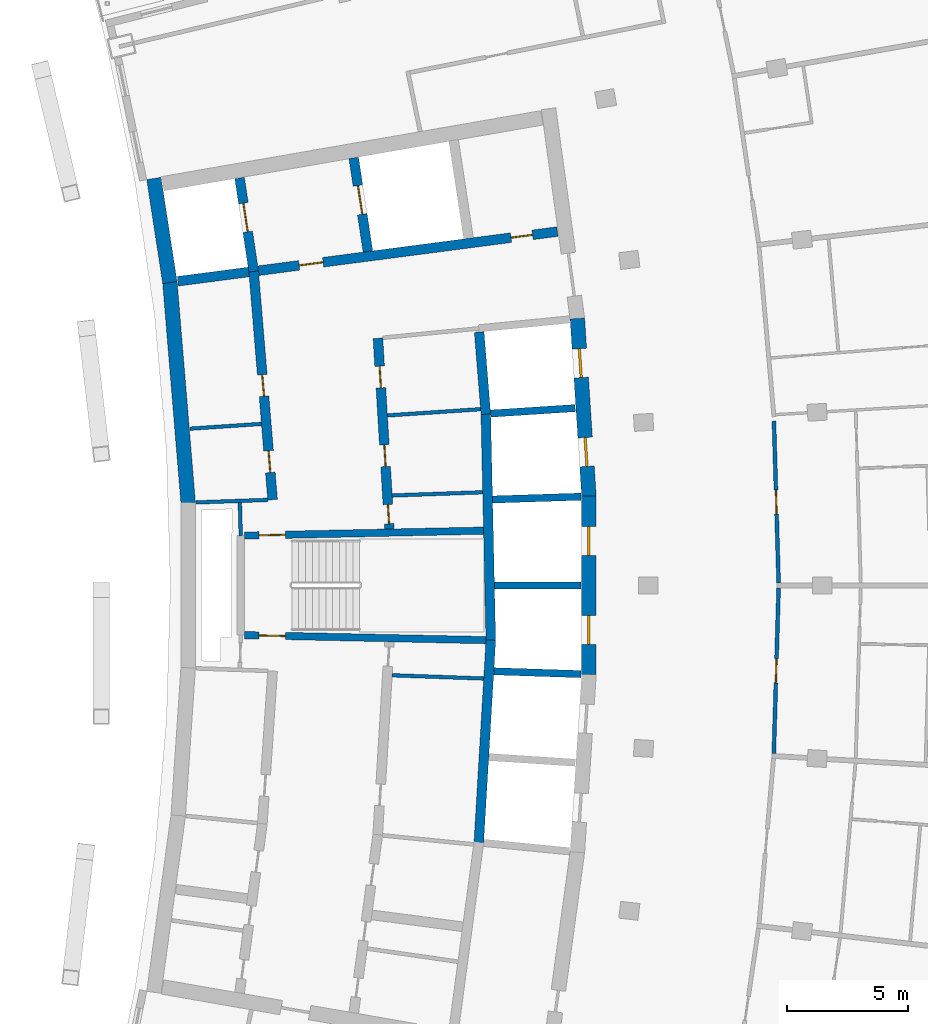
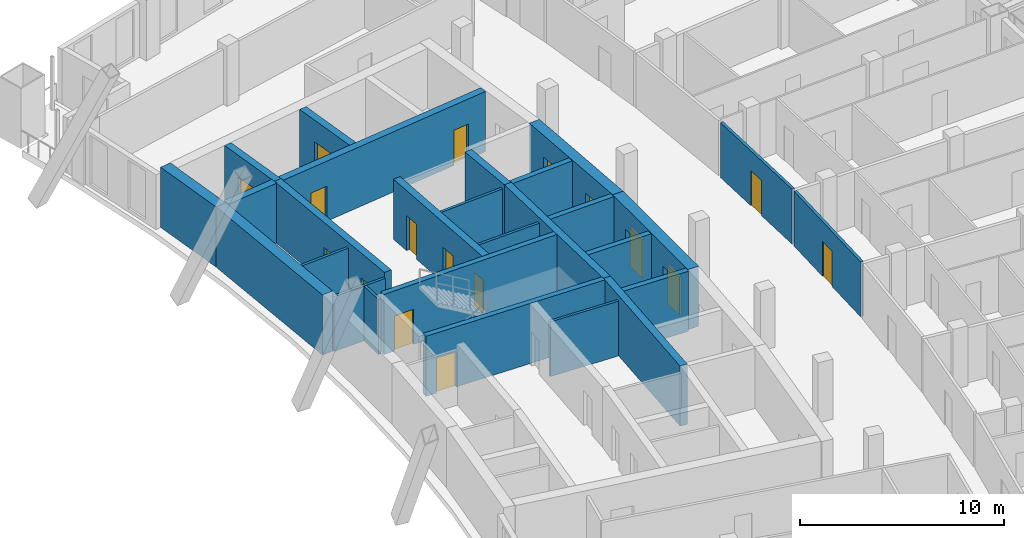
# One storey, part 12 of 19: 27 walls, 17 doors, 17 openings.
"""IFC4 building model written with IfcOpenShell, lengths in metres."""

from ifc_helpers import new_model, si_unit, direction, frame, frame_2d, origin, place, context, subcontext, project, spatial, rectangle, extrude, material, layer, layer_set, type_object, element, fill, save


model = new_model("IFC4")

# Units and contexts
model_context = context("Model", 3, precision=1e-05, world=origin(), true_north=direction((0.0, 1.0)))
body_context = subcontext(model_context, "Body", "Model", "MODEL_VIEW")
ifc_project = project(units=[si_unit("LENGTHUNIT", "METRE"), si_unit("AREAUNIT", "SQUARE_METRE"), si_unit("VOLUMEUNIT", "CUBIC_METRE"), si_unit("PLANEANGLEUNIT", "RADIAN"), si_unit("MASSUNIT", "GRAM", prefix="KILO")], contexts=[model_context])

# Site, building, storey
site_placement = place(None, origin())
site = spatial("IfcSite", under=ifc_project, at=site_placement, CompositionType="ELEMENT")
building_placement = place(site_placement, origin())
building = spatial("IfcBuilding", under=site, at=building_placement, Name="Alderwake Tower", CompositionType="ELEMENT")
storey_placement = place(building_placement, frame((0.0, 0.0, 221.60009765625)))
storey = spatial("IfcBuildingStorey", under=building, at=storey_placement, Name="L55", CompositionType="ELEMENT", Elevation=221.60009765625)

# Walls
ifc_material_1 = material(Name="Gypsum shaft wall system, rated")
ifc_layer_1 = layer(ifc_material_1, 0.14990234375)
ifc_layer_set_1 = layer_set([ifc_layer_1], Name="Core riser partition 150")
wall_type_1 = type_object("IfcWallType", Name="Core riser partition 150", PredefinedType="PARTITIONING", material=ifc_layer_set_1)
wall_1_placement = place(storey_placement, frame((25.1904296875, 57.276611328125, 0.0), z_axis=(0.0, 0.0, 1.0), x_axis=(0.999373547283, -0.03539086028, 0.0)))
element("IfcWall", 1, at=wall_1_placement, inside=storey, type_object=wall_type_1, Name="CW/L55/PR-37_+86", PredefinedType="PARTITIONING", context=body_context, shape_type="SweptSolid", body=[
    extrude(rectangle(XDim=3.794189453125, YDim=0.14990234375, at=frame_2d((1.89697265625, 0.0))), origin(), (0.0, 0.0, 1.0), 3.27978515625),
])
wall_2_placement = place(storey_placement, frame((25.191162109375, 64.723388671875, 0.0), z_axis=(0.0, 0.0, 1.0), x_axis=(0.999373256208, 0.035399078746, 0.0)))
element("IfcWall", 2, at=wall_2_placement, inside=storey, type_object=wall_type_1, Name="CW/L55/PR+37_+86", PredefinedType="PARTITIONING", context=body_context, shape_type="SweptSolid", body=[
    extrude(rectangle(XDim=3.751953125, YDim=0.14990234375, at=frame_2d((1.8759765625, 0.0))), origin(), (0.0, 0.0, 1.0), 3.27978515625),
])
ifc_material_2 = material(Name="Gypsum shaft wall system, rated")
ifc_layer_2 = layer(ifc_material_2, 0.14990234375)
ifc_layer_set_2 = layer_set([ifc_layer_2], Name="Core room partition 150")
wall_type_2 = type_object("IfcWallType", Name="Core room partition 150", PredefinedType="PARTITIONING", material=ifc_layer_set_2)
wall_3_placement = place(storey_placement, frame((18.918701171875, 63.05517578125, 0.0), z_axis=(0.0, 0.0, 1.0), x_axis=(-0.027791791559, 0.99961373356, 0.0)))
element("IfcWall", 3, at=wall_3_placement, inside=storey, type_object=wall_type_2, Name="CW/L55/PA+24_+22", PredefinedType="PARTITIONING", context=body_context, shape_type="SweptSolid", body=[
    extrude(rectangle(XDim=1.370361328125, YDim=0.14990234375, at=frame_2d((0.68505859375, 0.0))), origin(), (0.0, 0.0, 1.0), 3.27978515625),
])
wall_4_placement = place(storey_placement, frame((17.0693359375, 64.43603515625, 0.0), z_axis=(0.0, 0.0, 1.0), x_axis=(0.999374945052, 0.03535136775, 0.0)))
element("IfcWall", 4, at=wall_4_placement, inside=storey, type_object=wall_type_2, Name="CW/L55/PR+37_+0", PredefinedType="PARTITIONING", context=body_context, shape_type="SweptSolid", body=[
    extrude(rectangle(XDim=2.9697265625, YDim=0.14990234375, at=frame_2d((1.48486328125, 0.0))), origin(), (0.0, 0.0, 1.0), 3.27978515625),
])
wall_5_placement = place(storey_placement, frame((16.81640625, 67.490478515625, 0.0), z_axis=(0.0, 0.0, 1.0), x_axis=(0.997758859926, 0.066912311566, 0.0)))
element("IfcWall", 5, at=wall_5_placement, inside=storey, type_object=wall_type_2, Name="CW/L55/PR+70_+0", PredefinedType="PARTITIONING", context=body_context, shape_type="SweptSolid", body=[
    extrude(rectangle(XDim=2.96630859375, YDim=0.14990234375, at=frame_2d((1.483154296875, 0.0))), origin(), (0.0, 0.0, 1.0), 3.27978515625),
])
wall_6_placement = place(storey_placement, frame((24.992431640625, 68.038818359375, 0.0), z_axis=(0.0, 0.0, 1.0), x_axis=(0.997760236964, 0.066891774789, 0.0)))
element("IfcWall", 6, at=wall_6_placement, inside=storey, type_object=wall_type_2, Name="CW/L55/PR+70_+86", PredefinedType="PARTITIONING", context=body_context, shape_type="SweptSolid", body=[
    extrude(rectangle(XDim=3.86865234375, YDim=0.14990234375, at=frame_2d((1.934326171875, 0.0))), origin(), (0.0, 0.0, 1.0), 3.27978515625),
])
ifc_material_3 = material(Name="Concrete C70/85", Category="concrete")
ifc_layer_3 = layer(ifc_material_3, 0.60009765625)
ifc_layer_set_3 = layer_set([ifc_layer_3], Name="Core wall outer 600 C70-85")
wall_type_3 = type_object("IfcWallType", Name="Core wall outer 600 C70-85", PredefinedType="SHEAR", material=ifc_layer_set_3)
wall_7_placement = place(storey_placement, frame((16.740478515625, 64.411376953125, 0.0), z_axis=(0.0, 0.0, 1.0), x_axis=(-0.082614307012, 0.996581595393, 0.0)))
element("IfcWall", 7, at=wall_7_placement, inside=storey, type_object=wall_type_3, Name="Core wall CW.035", PredefinedType="SHEAR", context=body_context, shape_type="SweptSolid", body=[
    extrude(rectangle(XDim=9.184814453125, YDim=0.60009765625, at=frame_2d((4.59228515625, 0.0))), origin(), (0.0, 0.0, 1.0), 3.599853515625),
])
wall_8_placement = place(storey_placement, frame((15.984130859375, 73.54296875, 0.0), z_axis=(0.0, 0.0, 1.0), x_axis=(-0.151922578304, 0.988392396876, 0.0)))
element("IfcWall", 8, at=wall_8_placement, inside=storey, type_object=wall_type_3, Name="Core wall CW.034", PredefinedType="SHEAR", context=body_context, shape_type="SweptSolid", body=[
    extrude(rectangle(XDim=4.361328125, YDim=0.60009765625, at=frame_2d((2.1806640625, 0.0))), origin(), (0.0, 0.0, 1.0), 3.599853515625),
])

# Wall, openings, doors
wall_9_placement = place(storey_placement, frame((33.340087890625, 57.30322265625, 0.0), z_axis=(0.0, 0.0, 1.0), x_axis=(0.0, 1.0, 0.0)))
wall_9 = element("IfcWall", 9, at=wall_9_placement, inside=storey, type_object=wall_type_3, Name="Core wall CW.018", PredefinedType="SHEAR", context=body_context, shape_type="SweptSolid", body=[
    extrude(rectangle(XDim=7.3935546875, YDim=0.60009765625, at=frame_2d((3.69677734375, 0.0))), origin(), (0.0, 0.0, 1.0), 3.599853515625),
])
opening_1_placement = place(wall_9_placement, frame((1.25341796875, 0.0, 0.0)))
opening_1 = element("IfcOpeningElement", 10, at=opening_1_placement, cuts=wall_9, Name="Opening LD-HP3", PredefinedType="OPENING", context=body_context, shape_type="SweptSolid", body=[
    extrude(rectangle(XDim=1.199951171875, YDim=2.300048828125, at=frame_2d((0.60009765625, 1.14990234375))), frame((0.0, 0.31005859375, 0.0), z_axis=(0.0, -1.0, 0.0), x_axis=(1.0, 0.0, 0.0)), (0.0, 0.0, 1.0), 0.6201171875),
])
opening_2_placement = place(wall_9_placement, frame((4.940185546875, 0.0, 0.0)))
opening_2 = element("IfcOpeningElement", 11, at=opening_2_placement, cuts=wall_9, Name="Opening LD-HP4", PredefinedType="OPENING", context=body_context, shape_type="SweptSolid", body=[
    extrude(rectangle(XDim=1.199951171875, YDim=2.300048828125, at=frame_2d((0.60009765625, 1.14990234375))), frame((0.0, 0.31005859375, 0.0), z_axis=(0.0, -1.0, 0.0), x_axis=(1.0, 0.0, 0.0)), (0.0, 0.0, 1.0), 0.6201171875),
])
ifc_material_4 = material(Name="Stainless steel sliding leaf", Category="steel")
door_type_1 = type_object("IfcDoorType", Name="Lift landing door 1200", OperationType="SLIDING_TO_LEFT", PredefinedType="DOOR", material=ifc_material_4)
door_1_placement = place(opening_1_placement, origin())
door_1 = element("IfcDoor", 12, at=door_1_placement, inside=storey, type_object=door_type_1, Name="Lift landing door HP3", OperationType="SLIDING_TO_LEFT", OverallHeight=2.300048828125, OverallWidth=1.199951171875, PredefinedType="DOOR", context=body_context, shape_type="SweptSolid", body=[
    extrude(rectangle(XDim=1.199951171875, YDim=2.300048828125, at=frame_2d((0.60009765625, 1.14990234375))), frame((0.0, 0.050048828125, 0.0), z_axis=(0.0, -1.0, 0.0), x_axis=(1.0, 0.0, 0.0)), (0.0, 0.0, 1.0), 0.10009765625),
])
fill(opening_1, door_1)
door_2_placement = place(opening_2_placement, origin())
door_2 = element("IfcDoor", 13, at=door_2_placement, inside=storey, type_object=door_type_1, Name="Lift landing door HP4", OperationType="SLIDING_TO_LEFT", OverallHeight=2.300048828125, OverallWidth=1.199951171875, PredefinedType="DOOR", context=body_context, shape_type="SweptSolid", body=[
    extrude(rectangle(XDim=1.199951171875, YDim=2.300048828125, at=frame_2d((0.60009765625, 1.14990234375))), frame((0.0, 0.050048828125, 0.0), z_axis=(0.0, -1.0, 0.0), x_axis=(1.0, 0.0, 0.0)), (0.0, 0.0, 1.0), 0.10009765625),
])
fill(opening_2, door_2)

wall_10_placement = place(storey_placement, frame((33.3408203125, 64.67626953125, 0.0), z_axis=(0.0, 0.0, 1.0), x_axis=(-0.065013379938, 0.997884392317, 0.0)))
wall_10 = element("IfcWall", 14, at=wall_10_placement, inside=storey, type_object=wall_type_3, Name="Core wall CW.015", PredefinedType="SHEAR", context=body_context, shape_type="SweptSolid", body=[
    extrude(rectangle(XDim=7.39404296875, YDim=0.60009765625, at=frame_2d((3.697021484375, 0.0))), origin(), (0.0, 0.0, 1.0), 3.599853515625),
])
opening_3_placement = place(wall_10_placement, frame((1.253173828125, 0.0, 0.0)))
opening_3 = element("IfcOpeningElement", 15, at=opening_3_placement, cuts=wall_10, Name="Opening LD-HP5", PredefinedType="OPENING", context=body_context, shape_type="SweptSolid", body=[
    extrude(rectangle(XDim=1.199951171875, YDim=2.300048828125, at=frame_2d((0.60009765625, 1.14990234375))), frame((0.0, 0.31005859375, 0.0), z_axis=(0.0, -1.0, 0.0), x_axis=(1.0, 0.0, 0.0)), (0.0, 0.0, 1.0), 0.6201171875),
])
opening_4_placement = place(wall_10_placement, frame((4.940185546875, 0.0, 0.0)))
opening_4 = element("IfcOpeningElement", 16, at=opening_4_placement, cuts=wall_10, Name="Opening LD-HP6", PredefinedType="OPENING", context=body_context, shape_type="SweptSolid", body=[
    extrude(rectangle(XDim=1.199951171875, YDim=2.300048828125, at=frame_2d((0.60009765625, 1.14990234375))), frame((0.0, 0.31005859375, 0.0), z_axis=(0.0, -1.0, 0.0), x_axis=(1.0, 0.0, 0.0)), (0.0, 0.0, 1.0), 0.6201171875),
])
door_3_placement = place(opening_3_placement, origin())
door_3 = element("IfcDoor", 17, at=door_3_placement, inside=storey, type_object=door_type_1, Name="Lift landing door HP5", OperationType="SLIDING_TO_LEFT", OverallHeight=2.300048828125, OverallWidth=1.199951171875, PredefinedType="DOOR", context=body_context, shape_type="SweptSolid", body=[
    extrude(rectangle(XDim=1.199951171875, YDim=2.300048828125, at=frame_2d((0.60009765625, 1.14990234375))), frame((0.0, 0.050048828125, 0.0), z_axis=(0.0, -1.0, 0.0), x_axis=(1.0, 0.0, 0.0)), (0.0, 0.0, 1.0), 0.10009765625),
])
fill(opening_3, door_3)
door_4_placement = place(opening_4_placement, origin())
door_4 = element("IfcDoor", 18, at=door_4_placement, inside=storey, type_object=door_type_1, Name="Lift landing door HP6", OperationType="SLIDING_TO_LEFT", OverallHeight=2.300048828125, OverallWidth=1.199951171875, PredefinedType="DOOR", context=body_context, shape_type="SweptSolid", body=[
    extrude(rectangle(XDim=1.199951171875, YDim=2.300048828125, at=frame_2d((0.60009765625, 1.14990234375))), frame((0.0, 0.050048828125, 0.0), z_axis=(0.0, -1.0, 0.0), x_axis=(1.0, 0.0, 0.0)), (0.0, 0.0, 1.0), 0.10009765625),
])
fill(opening_4, door_4)

# Walls
ifc_material_5 = material(Name="Concrete C70/85", Category="concrete")
ifc_layer_4 = layer(ifc_material_5, 0.300048828125)
ifc_layer_set_4 = layer_set([ifc_layer_4], Name="Core wall shaft 300 C70-85")
wall_type_4 = type_object("IfcWallType", Name="Core wall shaft 300 C70-85", PredefinedType="SHEAR", material=ifc_layer_set_4)
wall_11_placement = place(storey_placement, frame((29.400634765625, 57.441650390625, 0.0), z_axis=(0.0, 0.0, 1.0), x_axis=(0.999471151072, -0.032517966969, 0.0)))
element("IfcWall", 19, at=wall_11_placement, inside=storey, type_object=wall_type_4, Name="Core wall CW.075", PredefinedType="SHEAR", context=body_context, shape_type="SweptSolid", body=[
    extrude(rectangle(XDim=3.611328125, YDim=0.300048828125, at=frame_2d((1.8056640625, 0.0))), origin(), (0.0, 0.0, 1.0), 3.599853515625),
])
wall_12_placement = place(storey_placement, frame((29.426025390625, 61.0, 0.0), z_axis=(0.0, 0.0, 1.0), x_axis=(1.0, 0.0, 0.0)))
element("IfcWall", 20, at=wall_12_placement, inside=storey, type_object=wall_type_4, Name="Core wall CW.048", PredefinedType="SHEAR", context=body_context, shape_type="SweptSolid", body=[
    extrude(rectangle(XDim=3.583984375, YDim=0.300048828125, at=frame_2d((1.7919921875, 0.0))), origin(), (0.0, 0.0, 1.0), 3.599853515625),
])
wall_13_placement = place(storey_placement, frame((29.347412109375, 64.556396484375, 0.0), z_axis=(0.0, 0.0, 1.0), x_axis=(0.99946918462, 0.032578351638, 0.0)))
element("IfcWall", 21, at=wall_13_placement, inside=storey, type_object=wall_type_4, Name="Core wall CW.058", PredefinedType="SHEAR", context=body_context, shape_type="SweptSolid", body=[
    extrude(rectangle(XDim=3.66455078125, YDim=0.300048828125, at=frame_2d((1.832275390625, 0.0))), origin(), (0.0, 0.0, 1.0), 3.599853515625),
])
wall_14_placement = place(storey_placement, frame((29.268798828125, 68.115478515625, 0.0), z_axis=(0.0, 0.0, 1.0), x_axis=(0.997887366571, 0.064967712281, 0.0)))
element("IfcWall", 22, at=wall_14_placement, inside=storey, type_object=wall_type_4, Name="Core wall CW.061", PredefinedType="SHEAR", context=body_context, shape_type="SweptSolid", body=[
    extrude(rectangle(XDim=3.509765625, YDim=0.300048828125, at=frame_2d((1.7548828125, 0.0))), origin(), (0.0, 0.0, 1.0), 3.599853515625),
])

# Wall, openings, doors
ifc_material_6 = material(Name="Concrete C70/85", Category="concrete")
ifc_layer_5 = layer(ifc_material_6, 0.39990234375)
ifc_layer_set_5 = layer_set([ifc_layer_5], Name="Core wall spine 400 C70-85")
wall_type_5 = type_object("IfcWallType", Name="Core wall spine 400 C70-85", PredefinedType="SHEAR", material=ifc_layer_set_5)
wall_15_placement = place(storey_placement, frame((19.452392578125, 74.014892578125, 0.0), z_axis=(0.0, 0.0, 1.0), x_axis=(0.082628585297, -0.996580411654, 0.0)))
wall_15 = element("IfcWall", 23, at=wall_15_placement, inside=storey, type_object=wall_type_5, Name="Core wall CW.031", PredefinedType="SHEAR", context=body_context, shape_type="SweptSolid", body=[
    extrude(rectangle(XDim=9.499267578125, YDim=0.39990234375, at=frame_2d((4.74951171875, 0.0))), origin(), (0.0, 0.0, 1.0), 3.599853515625),
])
opening_5_placement = place(wall_15_placement, frame((7.468017578125, 0.0, 0.0)))
opening_5 = element("IfcOpeningElement", 24, at=opening_5_placement, cuts=wall_15, Name="Opening C053", PredefinedType="OPENING", context=body_context, shape_type="SweptSolid", body=[
    extrude(rectangle(XDim=0.89990234375, YDim=2.10009765625, at=frame_2d((0.449951171875, 1.050048828125))), frame((0.0, 0.2099609375, 0.0), z_axis=(0.0, -1.0, 0.0), x_axis=(1.0, 0.0, 0.0)), (0.0, 0.0, 1.0), 0.419921875),
])
opening_6_placement = place(wall_15_placement, frame((4.30322265625, 0.0, 0.0)))
opening_6 = element("IfcOpeningElement", 25, at=opening_6_placement, cuts=wall_15, Name="Opening C054", PredefinedType="OPENING", context=body_context, shape_type="SweptSolid", body=[
    extrude(rectangle(XDim=0.89990234375, YDim=2.10009765625, at=frame_2d((0.449951171875, 1.050048828125))), frame((0.0, 0.2099609375, 0.0), z_axis=(0.0, -1.0, 0.0), x_axis=(1.0, 0.0, 0.0)), (0.0, 0.0, 1.0), 0.419921875),
])
ifc_material_7 = material(Name="Painted steel leaf", Category="steel")
door_type_2 = type_object("IfcDoorType", Name="Core room door 900", OperationType="SINGLE_SWING_LEFT", PredefinedType="DOOR", material=ifc_material_7)
door_5_placement = place(opening_5_placement, origin())
door_5 = element("IfcDoor", 26, at=door_5_placement, inside=storey, type_object=door_type_2, Name="Room door", OperationType="SINGLE_SWING_LEFT", OverallHeight=2.10009765625, OverallWidth=0.89990234375, PredefinedType="DOOR", context=body_context, shape_type="SweptSolid", body=[
    extrude(rectangle(XDim=0.89990234375, YDim=2.10009765625, at=frame_2d((0.449951171875, 1.050048828125))), frame((0.0, 0.02490234375, 0.0), z_axis=(0.0, -1.0, 0.0), x_axis=(1.0, 0.0, 0.0)), (0.0, 0.0, 1.0), 0.050048828125),
])
fill(opening_5, door_5)
door_6_placement = place(opening_6_placement, origin())
door_6 = element("IfcDoor", 27, at=door_6_placement, inside=storey, type_object=door_type_2, Name="Room door", OperationType="SINGLE_SWING_RIGHT", OverallHeight=2.10009765625, OverallWidth=0.89990234375, PredefinedType="DOOR", context=body_context, shape_type="SweptSolid", body=[
    extrude(rectangle(XDim=0.89990234375, YDim=2.10009765625, at=frame_2d((0.449951171875, 1.050048828125))), frame((0.0, 0.02490234375, 0.0), z_axis=(0.0, -1.0, 0.0), x_axis=(1.0, 0.0, 0.0)), (0.0, 0.0, 1.0), 0.050048828125),
])
fill(opening_6, door_6)

# Wall, opening, door
wall_16_placement = place(storey_placement, frame((19.4541015625, 74.00048828125, 0.0), z_axis=(0.0, 0.0, 1.0), x_axis=(-0.148977743105, 0.98884054936, 0.0)))
wall_16 = element("IfcWall", 28, at=wall_16_placement, inside=storey, type_object=wall_type_5, Name="Core wall CW.030", PredefinedType="SHEAR", context=body_context, shape_type="SweptSolid", body=[
    extrude(rectangle(XDim=3.9150390625, YDim=0.39990234375, at=frame_2d((1.95751953125, 0.0))), origin(), (0.0, 0.0, 1.0), 3.599853515625),
])
opening_7_placement = place(wall_16_placement, frame((1.6611328125, 0.0, 0.0)))
opening_7 = element("IfcOpeningElement", 29, at=opening_7_placement, cuts=wall_16, Name="Opening LD-FF1", PredefinedType="OPENING", context=body_context, shape_type="SweptSolid", body=[
    extrude(rectangle(XDim=1.199951171875, YDim=2.300048828125, at=frame_2d((0.60009765625, 1.14990234375))), frame((0.0, 0.2099609375, 0.0), z_axis=(0.0, -1.0, 0.0), x_axis=(1.0, 0.0, 0.0)), (0.0, 0.0, 1.0), 0.419921875),
])
door_7_placement = place(opening_7_placement, origin())
door_7 = element("IfcDoor", 30, at=door_7_placement, inside=storey, type_object=door_type_1, Name="Lift landing door FF1", OperationType="SLIDING_TO_LEFT", OverallHeight=2.300048828125, OverallWidth=1.199951171875, PredefinedType="DOOR", context=body_context, shape_type="SweptSolid", body=[
    extrude(rectangle(XDim=1.199951171875, YDim=2.300048828125, at=frame_2d((0.60009765625, 1.14990234375))), frame((0.0, 0.02490234375, 0.0), z_axis=(0.0, -1.0, 0.0), x_axis=(1.0, 0.0, 0.0)), (0.0, 0.0, 1.0), 0.050048828125),
])
fill(opening_7, door_7)

# Wall, openings, doors
wall_17_placement = place(storey_placement, frame((25.073974609375, 63.335693359375, 0.0), z_axis=(0.0, 0.0, 1.0), x_axis=(-0.059848641072, 0.998207463487, 0.0)))
wall_17 = element("IfcWall", 31, at=wall_17_placement, inside=storey, type_object=wall_type_5, Name="Core wall CW.045", PredefinedType="SHEAR", context=body_context, shape_type="SweptSolid", body=[
    extrude(rectangle(XDim=7.913818359375, YDim=0.39990234375, at=frame_2d((3.95703125, 0.0))), origin(), (0.0, 0.0, 1.0), 3.599853515625),
])
opening_8_placement = place(wall_17_placement, frame((0.216064453125, 0.0, 0.0)))
opening_8 = element("IfcOpeningElement", 32, at=opening_8_placement, cuts=wall_17, Name="Opening C005", PredefinedType="OPENING", context=body_context, shape_type="SweptSolid", body=[
    extrude(rectangle(XDim=0.800048828125, YDim=2.0, at=frame_2d((0.39990234375, 1.0))), frame((0.0, 0.2099609375, 0.0), z_axis=(0.0, -1.0, 0.0), x_axis=(1.0, 0.0, 0.0)), (0.0, 0.0, 1.0), 0.419921875),
])
opening_9_placement = place(wall_17_placement, frame((5.856201171875, 0.0, 0.0)))
opening_9 = element("IfcOpeningElement", 33, at=opening_9_placement, cuts=wall_17, Name="Opening C023", PredefinedType="OPENING", context=body_context, shape_type="SweptSolid", body=[
    extrude(rectangle(XDim=0.89990234375, YDim=2.10009765625, at=frame_2d((0.449951171875, 1.050048828125))), frame((0.0, 0.2099609375, 0.0), z_axis=(0.0, -1.0, 0.0), x_axis=(1.0, 0.0, 0.0)), (0.0, 0.0, 1.0), 0.419921875),
])
opening_10_placement = place(wall_17_placement, frame((2.590087890625, 0.0, 0.0)))
opening_10 = element("IfcOpeningElement", 34, at=opening_10_placement, cuts=wall_17, Name="Opening C059", PredefinedType="OPENING", context=body_context, shape_type="SweptSolid", body=[
    extrude(rectangle(XDim=0.89990234375, YDim=2.10009765625, at=frame_2d((0.449951171875, 1.050048828125))), frame((0.0, 0.2099609375, 0.0), z_axis=(0.0, -1.0, 0.0), x_axis=(1.0, 0.0, 0.0)), (0.0, 0.0, 1.0), 0.419921875),
])
door_8_placement = place(opening_9_placement, origin())
door_8 = element("IfcDoor", 35, at=door_8_placement, inside=storey, type_object=door_type_2, Name="Room door", OperationType="SINGLE_SWING_RIGHT", OverallHeight=2.10009765625, OverallWidth=0.89990234375, PredefinedType="DOOR", context=body_context, shape_type="SweptSolid", body=[
    extrude(rectangle(XDim=0.89990234375, YDim=2.10009765625, at=frame_2d((0.449951171875, 1.050048828125))), frame((0.0, 0.02490234375, 0.0), z_axis=(0.0, -1.0, 0.0), x_axis=(1.0, 0.0, 0.0)), (0.0, 0.0, 1.0), 0.050048828125),
])
fill(opening_9, door_8)
door_9_placement = place(opening_10_placement, origin())
door_9 = element("IfcDoor", 36, at=door_9_placement, inside=storey, type_object=door_type_2, Name="Room door", OperationType="SINGLE_SWING_LEFT", OverallHeight=2.10009765625, OverallWidth=0.89990234375, PredefinedType="DOOR", context=body_context, shape_type="SweptSolid", body=[
    extrude(rectangle(XDim=0.89990234375, YDim=2.10009765625, at=frame_2d((0.449951171875, 1.050048828125))), frame((0.0, 0.02490234375, 0.0), z_axis=(0.0, -1.0, 0.0), x_axis=(1.0, 0.0, 0.0)), (0.0, 0.0, 1.0), 0.050048828125),
])
fill(opening_10, door_9)
ifc_material_8 = material(Name="Painted steel leaf, rated", Category="steel")
door_type_3 = type_object("IfcDoorType", Name="Riser access door 800", OperationType="SINGLE_SWING_LEFT", PredefinedType="DOOR", material=ifc_material_8)
door_10_placement = place(opening_8_placement, origin())
door_10 = element("IfcDoor", 37, at=door_10_placement, inside=storey, type_object=door_type_3, Name="Riser access door", OperationType="SINGLE_SWING_LEFT", OverallHeight=2.0, OverallWidth=0.800048828125, PredefinedType="DOOR", context=body_context, shape_type="SweptSolid", body=[
    extrude(rectangle(XDim=0.800048828125, YDim=2.0, at=frame_2d((0.39990234375, 1.0))), frame((0.0, 0.02490234375, 0.0), z_axis=(0.0, -1.0, 0.0), x_axis=(1.0, 0.0, 0.0)), (0.0, 0.0, 1.0), 0.050048828125),
])
fill(opening_8, door_10)

# Wall, opening, door
wall_18_placement = place(storey_placement, frame((24.186279296875, 74.82861328125, 0.0), z_axis=(0.0, 0.0, 1.0), x_axis=(-0.150092938275, 0.988671891924, 0.0)))
wall_18 = element("IfcWall", 38, at=wall_18_placement, inside=storey, type_object=wall_type_5, Name="Core wall CW.044", PredefinedType="SHEAR", context=body_context, shape_type="SweptSolid", body=[
    extrude(rectangle(XDim=3.92333984375, YDim=0.39990234375, at=frame_2d((1.961669921875, 0.0))), origin(), (0.0, 0.0, 1.0), 3.599853515625),
])
opening_11_placement = place(wall_18_placement, frame((1.561767578125, 0.0, 0.0)))
opening_11 = element("IfcOpeningElement", 39, at=opening_11_placement, cuts=wall_18, Name="Opening LD-FF2", PredefinedType="OPENING", context=body_context, shape_type="SweptSolid", body=[
    extrude(rectangle(XDim=1.199951171875, YDim=2.300048828125, at=frame_2d((0.60009765625, 1.14990234375))), frame((0.0, 0.2099609375, 0.0), z_axis=(0.0, -1.0, 0.0), x_axis=(1.0, 0.0, 0.0)), (0.0, 0.0, 1.0), 0.419921875),
])
door_11_placement = place(opening_11_placement, origin())
door_11 = element("IfcDoor", 40, at=door_11_placement, inside=storey, type_object=door_type_1, Name="Lift landing door FF2", OperationType="SLIDING_TO_LEFT", OverallHeight=2.300048828125, OverallWidth=1.199951171875, PredefinedType="DOOR", context=body_context, shape_type="SweptSolid", body=[
    extrude(rectangle(XDim=1.199951171875, YDim=2.300048828125, at=frame_2d((0.60009765625, 1.14990234375))), frame((0.0, 0.02490234375, 0.0), z_axis=(0.0, -1.0, 0.0), x_axis=(1.0, 0.0, 0.0)), (0.0, 0.0, 1.0), 0.050048828125),
])
fill(opening_11, door_11)

# Walls
wall_19_placement = place(storey_placement, frame((28.780029296875, 50.34765625, 0.0), z_axis=(0.0, 0.0, 1.0), x_axis=(0.05912910263, 0.998250343963, 0.0)))
element("IfcWall", 41, at=wall_19_placement, inside=storey, type_object=wall_type_5, Name="Core wall CW.004", PredefinedType="SHEAR", context=body_context, shape_type="SweptSolid", body=[
    extrude(rectangle(XDim=8.40234375, YDim=0.39990234375, at=frame_2d((4.201171875, 0.0))), origin(), (0.0, 0.0, 1.0), 3.599853515625),
])
wall_20_placement = place(storey_placement, frame((29.276611328125, 58.71826171875, 0.0), z_axis=(0.0, 0.0, 1.0), x_axis=(-0.022119171053, 0.999755341207, 0.0)))
element("IfcWall", 42, at=wall_20_placement, inside=storey, type_object=wall_type_5, Name="Core wall CW.007", PredefinedType="SHEAR", context=body_context, shape_type="SweptSolid", body=[
    extrude(rectangle(XDim=9.392822265625, YDim=0.39990234375, at=frame_2d((4.6962890625, 0.0))), origin(), (0.0, 0.0, 1.0), 3.599853515625),
])
wall_21_placement = place(storey_placement, frame((29.069580078125, 68.09619140625, 0.0), z_axis=(0.0, 0.0, 1.0), x_axis=(-0.080544811251, 0.996750988653, 0.0)))
element("IfcWall", 43, at=wall_21_placement, inside=storey, type_object=wall_type_5, Name="Core wall CW.003", PredefinedType="SHEAR", context=body_context, shape_type="SweptSolid", body=[
    extrude(rectangle(XDim=3.409912109375, YDim=0.39990234375, at=frame_2d((1.705078125, 0.0))), origin(), (0.0, 0.0, 1.0), 3.599853515625),
])
wall_22_placement = place(storey_placement, frame((16.31005859375, 73.5966796875, 0.0), z_axis=(0.0, 0.0, 1.0), x_axis=(0.99155863891, 0.12965903595, 0.0)))
element("IfcWall", 44, at=wall_22_placement, inside=storey, type_object=wall_type_5, Name="Core wall CW.051", PredefinedType="SHEAR", context=body_context, shape_type="SweptSolid", body=[
    extrude(rectangle(XDim=2.969482421875, YDim=0.39990234375, at=frame_2d((1.48486328125, 0.0))), origin(), (0.0, 0.0, 1.0), 3.599853515625),
])

# Wall, openings, doors
wall_23_placement = place(storey_placement, frame((32.032958984375, 75.653076171875, 0.0), z_axis=(0.0, 0.0, 1.0), x_axis=(-0.991554886316, -0.129687730428, 0.0)))
wall_23 = element("IfcWall", 45, at=wall_23_placement, inside=storey, type_object=wall_type_5, Name="Core wall CW.052", PredefinedType="SHEAR", context=body_context, shape_type="SweptSolid", body=[
    extrude(rectangle(XDim=12.48681640625, YDim=0.39990234375, at=frame_2d((6.243408203125, 0.0))), origin(), (0.0, 0.0, 1.0), 3.599853515625),
])
opening_12_placement = place(wall_23_placement, frame((9.787109375, 0.0, 0.0)))
opening_12 = element("IfcOpeningElement", 46, at=opening_12_placement, cuts=wall_23, Name="Opening C002", PredefinedType="OPENING", context=body_context, shape_type="SweptSolid", body=[
    extrude(rectangle(XDim=1.0, YDim=2.10009765625, at=frame_2d((0.5, 1.050048828125))), frame((0.0, 0.2099609375, 0.0), z_axis=(0.0, -1.0, 0.0), x_axis=(1.0, 0.0, 0.0)), (0.0, 0.0, 1.0), 0.419921875),
])
opening_13_placement = place(wall_23_placement, frame((1.037109375, 0.0, 0.0)))
opening_13 = element("IfcOpeningElement", 47, at=opening_13_placement, cuts=wall_23, Name="Opening C020", PredefinedType="OPENING", context=body_context, shape_type="SweptSolid", body=[
    extrude(rectangle(XDim=0.89990234375, YDim=2.10009765625, at=frame_2d((0.449951171875, 1.050048828125))), frame((0.0, 0.2099609375, 0.0), z_axis=(0.0, -1.0, 0.0), x_axis=(1.0, 0.0, 0.0)), (0.0, 0.0, 1.0), 0.419921875),
])
door_12_placement = place(opening_13_placement, origin())
door_12 = element("IfcDoor", 48, at=door_12_placement, inside=storey, type_object=door_type_2, Name="Room door", OperationType="SINGLE_SWING_LEFT", OverallHeight=2.10009765625, OverallWidth=0.89990234375, PredefinedType="DOOR", context=body_context, shape_type="SweptSolid", body=[
    extrude(rectangle(XDim=0.89990234375, YDim=2.10009765625, at=frame_2d((0.449951171875, 1.050048828125))), frame((0.0, 0.02490234375, 0.0), z_axis=(0.0, -1.0, 0.0), x_axis=(1.0, 0.0, 0.0)), (0.0, 0.0, 1.0), 0.050048828125),
])
fill(opening_13, door_12)
ifc_material_9 = material(Name="Steel-framed fire door leaf", Category="steel")
door_type_4 = type_object("IfcDoorType", Name="Firefighting lobby door 1000 fire-rated", OperationType="SINGLE_SWING_LEFT", PredefinedType="DOOR", material=ifc_material_9)
door_13_placement = place(opening_12_placement, origin())
door_13 = element("IfcDoor", 49, at=door_13_placement, inside=storey, type_object=door_type_4, Name="Firefighting lobby door", OperationType="SINGLE_SWING_RIGHT", OverallHeight=2.10009765625, OverallWidth=1.0, PredefinedType="DOOR", context=body_context, shape_type="SweptSolid", body=[
    extrude(rectangle(XDim=1.0, YDim=2.10009765625, at=frame_2d((0.5, 1.050048828125))), frame((0.0, 0.02490234375, 0.0), z_axis=(0.0, -1.0, 0.0), x_axis=(1.0, 0.0, 0.0)), (0.0, 0.0, 1.0), 0.050048828125),
])
fill(opening_12, door_13)

# Wall, opening, door
ifc_material_10 = material(Name="Concrete C70/85", Category="concrete")
ifc_layer_6 = layer(ifc_material_10, 0.300048828125)
ifc_layer_set_6 = layer_set([ifc_layer_6], Name="Core wall stair enclosure 300 C70-85")
wall_type_6 = type_object("IfcWallType", Name="Core wall stair enclosure 300 C70-85", PredefinedType="SHEAR", material=ifc_layer_set_6)
wall_24_placement = place(storey_placement, frame((29.076416015625, 58.73095703125, 0.0), z_axis=(0.0, 0.0, 1.0), x_axis=(-0.99978356433, 0.020804434533, 0.0)))
wall_24 = element("IfcWall", 50, at=wall_24_placement, inside=storey, type_object=wall_type_6, Name="Core wall CW.074", PredefinedType="SHEAR", context=body_context, shape_type="SweptSolid", body=[
    extrude(rectangle(XDim=10.010009765625, YDim=0.300048828125, at=frame_2d((5.0048828125, 0.0))), origin(), (0.0, 0.0, 1.0), 3.599853515625),
])
opening_14_placement = place(wall_24_placement, frame((8.309814453125, 0.0, 0.0)))
opening_14 = element("IfcOpeningElement", 51, at=opening_14_placement, cuts=wall_24, Name="Opening C063", PredefinedType="OPENING", context=body_context, shape_type="SweptSolid", body=[
    extrude(rectangle(XDim=1.10009765625, YDim=2.10009765625, at=frame_2d((0.550048828125, 1.050048828125))), frame((0.0, 0.159912109375, 0.0), z_axis=(0.0, -1.0, 0.0), x_axis=(1.0, 0.0, 0.0)), (0.0, 0.0, 1.0), 0.320068359375),
])
ifc_material_11 = material(Name="Steel-framed fire door leaf", Category="steel")
door_type_5 = type_object("IfcDoorType", Name="Core stair door 1100 fire-rated", OperationType="SINGLE_SWING_LEFT", PredefinedType="DOOR", material=ifc_material_11)
door_14_placement = place(opening_14_placement, origin())
door_14 = element("IfcDoor", 52, at=door_14_placement, inside=storey, type_object=door_type_5, Name="Stair door", OperationType="SINGLE_SWING_RIGHT", OverallHeight=2.10009765625, OverallWidth=1.10009765625, PredefinedType="DOOR", context=body_context, shape_type="SweptSolid", body=[
    extrude(rectangle(XDim=1.10009765625, YDim=2.10009765625, at=frame_2d((0.550048828125, 1.050048828125))), frame((0.0, 0.02490234375, 0.0), z_axis=(0.0, -1.0, 0.0), x_axis=(1.0, 0.0, 0.0)), (0.0, 0.0, 1.0), 0.050048828125),
])
fill(opening_14, door_14)

wall_25_placement = place(storey_placement, frame((19.068603515625, 63.060791015625, 0.0), z_axis=(0.0, 0.0, 1.0), x_axis=(0.999783782948, 0.020793925895, 0.0)))
wall_25 = element("IfcWall", 53, at=wall_25_placement, inside=storey, type_object=wall_type_6, Name="Core wall CW.057", PredefinedType="SHEAR", context=body_context, shape_type="SweptSolid", body=[
    extrude(rectangle(XDim=9.909423828125, YDim=0.300048828125, at=frame_2d((4.95458984375, 0.0))), origin(), (0.0, 0.0, 1.0), 3.599853515625),
])
opening_15_placement = place(wall_25_placement, frame((0.60009765625, 0.0, 0.0)))
opening_15 = element("IfcOpeningElement", 54, at=opening_15_placement, cuts=wall_25, Name="Opening C064", PredefinedType="OPENING", context=body_context, shape_type="SweptSolid", body=[
    extrude(rectangle(XDim=1.10009765625, YDim=2.10009765625, at=frame_2d((0.550048828125, 1.050048828125))), frame((0.0, 0.159912109375, 0.0), z_axis=(0.0, -1.0, 0.0), x_axis=(1.0, 0.0, 0.0)), (0.0, 0.0, 1.0), 0.320068359375),
])
door_15_placement = place(opening_15_placement, origin())
door_15 = element("IfcDoor", 55, at=door_15_placement, inside=storey, type_object=door_type_5, Name="Stair door", OperationType="SINGLE_SWING_LEFT", OverallHeight=2.10009765625, OverallWidth=1.10009765625, PredefinedType="DOOR", context=body_context, shape_type="SweptSolid", body=[
    extrude(rectangle(XDim=1.10009765625, YDim=2.10009765625, at=frame_2d((0.550048828125, 1.050048828125))), frame((0.0, 0.02490234375, 0.0), z_axis=(0.0, -1.0, 0.0), x_axis=(1.0, 0.0, 0.0)), (0.0, 0.0, 1.0), 0.050048828125),
])
fill(opening_15, door_15)

ifc_material_12 = material(Name="Gypsum board on metal studs, rated")
ifc_layer_7 = layer(ifc_material_12, 0.159912109375)
ifc_layer_set_7 = layer_set([ifc_layer_7], Name="Corridor wall 160")
wall_type_7 = type_object("IfcWallType", Name="Corridor wall 160", PredefinedType="PARTITIONING", material=ifc_layer_set_7)
wall_26_placement = place(storey_placement, frame((41.196044921875, 60.89892578125, 0.0), z_axis=(0.0, 0.0, 1.0), x_axis=(-0.028865238788, -0.99958331218, 0.0)))
wall_26 = element("IfcWall", 56, at=wall_26_placement, inside=storey, type_object=wall_type_7, Name="WL/L55/W27", PredefinedType="PARTITIONING", context=body_context, shape_type="SweptSolid", body=[
    extrude(rectangle(XDim=6.867919921875, YDim=0.159912109375, at=frame_2d((3.43408203125, 0.0))), origin(), (0.0, 0.0, 1.0), 3.27978515625),
])
opening_16_placement = place(wall_26_placement, frame((2.933837890625, 0.0, 0.0)))
opening_16 = element("IfcOpeningElement", 57, at=opening_16_placement, cuts=wall_26, Name="Opening R16-U05.1", PredefinedType="OPENING", context=body_context, shape_type="SweptSolid", body=[
    extrude(rectangle(XDim=1.0, YDim=2.10009765625, at=frame_2d((0.5, 1.050048828125))), frame((0.0, 0.08984375, 0.0), z_axis=(0.0, -1.0, 0.0), x_axis=(1.0, 0.0, 0.0)), (0.0, 0.0, 1.0), 0.179931640625),
])
ifc_material_13 = material(Name="Solid timber leaf in steel frame", Category="steel")
door_type_6 = type_object("IfcDoorType", Name="Flat entrance door 1000 fire-rated", OperationType="SINGLE_SWING_LEFT", PredefinedType="DOOR", material=ifc_material_13)
door_16_placement = place(opening_16_placement, origin())
door_16 = element("IfcDoor", 58, at=door_16_placement, inside=storey, type_object=door_type_6, Name="DR/L55/U05.1", OperationType="SINGLE_SWING_LEFT", OverallHeight=2.10009765625, OverallWidth=1.0, PredefinedType="DOOR", context=body_context, shape_type="SweptSolid", body=[
    extrude(rectangle(XDim=1.0, YDim=2.10009765625, at=frame_2d((0.5, 1.050048828125))), frame((0.0, 0.02490234375, 0.0), z_axis=(0.0, -1.0, 0.0), x_axis=(1.0, 0.0, 0.0)), (0.0, 0.0, 1.0), 0.050048828125),
])
fill(opening_16, door_16)

wall_27_placement = place(storey_placement, frame((41.002685546875, 67.80029296875, 0.0), z_axis=(0.0, 0.0, 1.0), x_axis=(0.0288425569, -0.999583966914, 0.0)))
wall_27 = element("IfcWall", 59, at=wall_27_placement, inside=storey, type_object=wall_type_7, Name="WL/L55/W29", PredefinedType="PARTITIONING", context=body_context, shape_type="SweptSolid", body=[
    extrude(rectangle(XDim=6.703857421875, YDim=0.159912109375, at=frame_2d((3.35205078125, 0.0))), origin(), (0.0, 0.0, 1.0), 3.27978515625),
])
opening_17_placement = place(wall_27_placement, frame((2.85205078125, 0.0, 0.0)))
opening_17 = element("IfcOpeningElement", 60, at=opening_17_placement, cuts=wall_27, Name="Opening R16-U06.1", PredefinedType="OPENING", context=body_context, shape_type="SweptSolid", body=[
    extrude(rectangle(XDim=1.0, YDim=2.10009765625, at=frame_2d((0.5, 1.050048828125))), frame((0.0, 0.08984375, 0.0), z_axis=(0.0, -1.0, 0.0), x_axis=(1.0, 0.0, 0.0)), (0.0, 0.0, 1.0), 0.179931640625),
])
door_17_placement = place(opening_17_placement, origin())
door_17 = element("IfcDoor", 61, at=door_17_placement, inside=storey, type_object=door_type_6, Name="DR/L55/U06.1", OperationType="SINGLE_SWING_LEFT", OverallHeight=2.10009765625, OverallWidth=1.0, PredefinedType="DOOR", context=body_context, shape_type="SweptSolid", body=[
    extrude(rectangle(XDim=1.0, YDim=2.10009765625, at=frame_2d((0.5, 1.050048828125))), frame((0.0, 0.02490234375, 0.0), z_axis=(0.0, -1.0, 0.0), x_axis=(1.0, 0.0, 0.0)), (0.0, 0.0, 1.0), 0.050048828125),
])
fill(opening_17, door_17)

save(model, "model.ifc")
